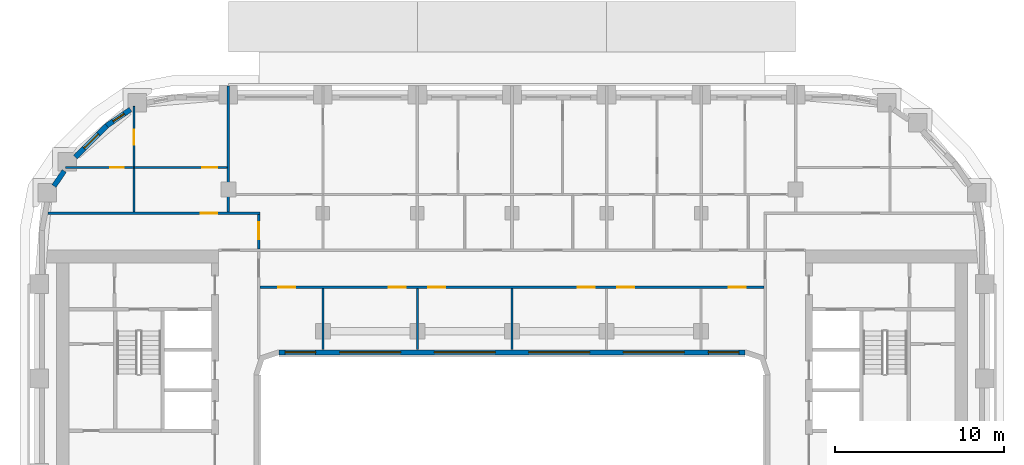
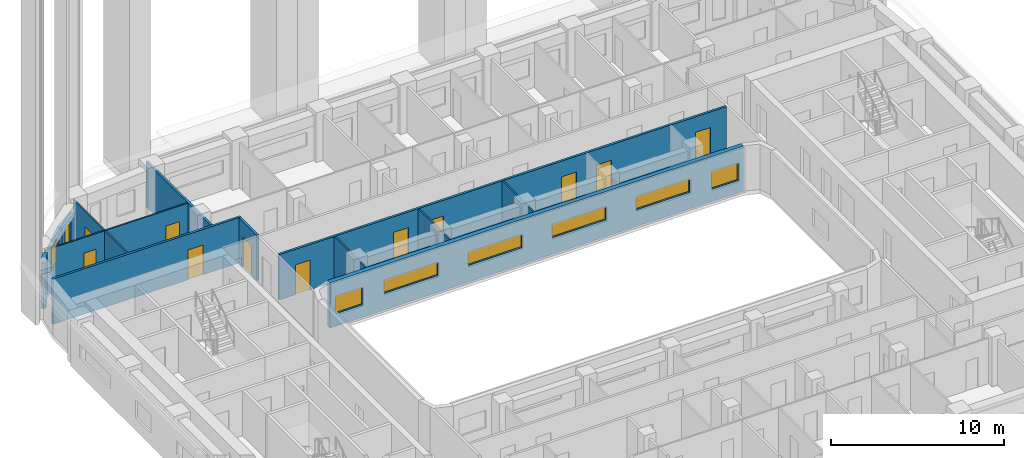
# One storey, part 7 of 18: 14 walls, 11 doors, 8 windows, 19 openings.
"""IFC4 building model written with IfcOpenShell, lengths in metres."""

from ifc_helpers import new_model, si_unit, direction, frame, frame_2d, origin, place, context, subcontext, project, spatial, rectangle, extrude, material, layer, layer_set, type_object, element, fill, save


model = new_model("IFC4")

# Units and contexts
model_context = context("Model", 3, precision=1e-05, world=origin(), true_north=direction((0.0, 1.0)))
body_context = subcontext(model_context, "Body", "Model", "MODEL_VIEW")
ifc_project = project(units=[si_unit("LENGTHUNIT", "METRE"), si_unit("AREAUNIT", "SQUARE_METRE"), si_unit("VOLUMEUNIT", "CUBIC_METRE"), si_unit("PLANEANGLEUNIT", "RADIAN"), si_unit("MASSUNIT", "GRAM", prefix="KILO")], contexts=[model_context])

# Site, building, storey
site_placement = place(None, origin())
site = spatial("IfcSite", under=ifc_project, at=site_placement, CompositionType="ELEMENT")
building_placement = place(site_placement, origin())
building = spatial("IfcBuilding", under=site, at=building_placement, Name="Kiln Ring Residences", CompositionType="ELEMENT")
storey_placement = place(building_placement, frame((0.0, 0.0, 136.10009765625)))
storey = spatial("IfcBuildingStorey", under=building, at=storey_placement, Name="L34", CompositionType="ELEMENT", Elevation=136.10009765625)

# Wall, opening, window
ifc_material_1 = material(Name="Brick masonry, dark clay brick", Category="masonry")
ifc_layer_1 = layer(ifc_material_1, 0.300048828125)
ifc_layer_set_1 = layer_set([ifc_layer_1], Name="EW-300 BRICK WALL")
wall_type_1 = type_object("IfcWallType", Name="EW-300 BRICK WALL", PredefinedType="SOLIDWALL", material=ifc_layer_set_1)
wall_1_placement = place(storey_placement, frame((-22.601806640625, 21.537841796875, 0.0), z_axis=(0.0, 0.0, 1.0), x_axis=(-0.827040942766, -0.562141689424, 0.0)))
wall_1 = element("IfcWall", 1, at=wall_1_placement, inside=storey, type_object=wall_type_1, Name="Facade wall L34 37", PredefinedType="SOLIDWALL", context=body_context, shape_type="SweptSolid", body=[
    extrude(rectangle(XDim=1.7060546875, YDim=0.300048828125, at=frame_2d((0.85302734375, 0.0))), origin(), (0.0, 0.0, 1.0), 2.449951171875),
])
opening_1_placement = place(wall_1_placement, frame((0.453125, 0.0, 0.60009765625)))
opening_1 = element("IfcOpeningElement", 2, at=opening_1_placement, cuts=wall_1, Name="Opening W5", PredefinedType="OPENING", context=body_context, shape_type="SweptSolid", body=[
    extrude(rectangle(XDim=0.800048828125, YDim=1.550048828125, at=frame_2d((0.39990234375, 0.77490234375))), frame((0.0, 0.159912109375, 0.0), z_axis=(0.0, -1.0, 0.0), x_axis=(1.0, 0.0, 0.0)), (0.0, 0.0, 1.0), 0.320068359375),
])
ifc_material_2 = material(Name="Aluminium frame with double glazing", Category="aluminium")
window_type_1 = type_object("IfcWindowType", Name="WINDOW 800 x 1550", PartitioningType="SINGLE_PANEL", PredefinedType="WINDOW", material=ifc_material_2)
window_1_placement = place(opening_1_placement, origin())
window_1 = element("IfcWindow", 3, at=window_1_placement, inside=storey, type_object=window_type_1, Name="Window L34 31", OverallHeight=1.550048828125, OverallWidth=0.800048828125, PartitioningType="SINGLE_PANEL", PredefinedType="WINDOW", context=body_context, shape_type="SweptSolid", body=[
    extrude(rectangle(XDim=0.800048828125, YDim=1.550048828125, at=frame_2d((0.39990234375, 0.77490234375))), frame((0.0, 0.030029296875, 0.0), z_axis=(0.0, -1.0, 0.0), x_axis=(1.0, 0.0, 0.0)), (0.0, 0.0, 1.0), 0.06005859375),
])
fill(opening_1, window_1)

wall_2_placement = place(storey_placement, frame((-23.990966796875, 20.596923828125, 0.0), z_axis=(0.0, 0.0, 1.0), x_axis=(-0.707106781187, -0.707106781187, 0.0)))
wall_2 = element("IfcWall", 4, at=wall_2_placement, inside=storey, type_object=wall_type_1, Name="Facade wall L34 38", PredefinedType="SOLIDWALL", context=body_context, shape_type="SweptSolid", body=[
    extrude(rectangle(XDim=2.64990234375, YDim=0.300048828125, at=frame_2d((1.324951171875, 0.0))), origin(), (0.0, 0.0, 1.0), 2.449951171875),
])
opening_2_placement = place(wall_2_placement, frame((0.72509765625, 0.0, 0.60009765625)))
opening_2 = element("IfcOpeningElement", 5, at=opening_2_placement, cuts=wall_2, Name="Opening W1", PredefinedType="OPENING", context=body_context, shape_type="SweptSolid", body=[
    extrude(rectangle(XDim=1.199951171875, YDim=1.550048828125, at=frame_2d((0.60009765625, 0.77490234375))), frame((0.0, 0.159912109375, 0.0), z_axis=(0.0, -1.0, 0.0), x_axis=(1.0, 0.0, 0.0)), (0.0, 0.0, 1.0), 0.320068359375),
])
ifc_material_3 = material(Name="Aluminium frame with double glazing", Category="aluminium")
window_type_2 = type_object("IfcWindowType", Name="WINDOW 1200 x 1550", PartitioningType="SINGLE_PANEL", PredefinedType="WINDOW", material=ifc_material_3)
window_2_placement = place(opening_2_placement, origin())
window_2 = element("IfcWindow", 6, at=window_2_placement, inside=storey, type_object=window_type_2, Name="Window L34 32", OverallHeight=1.550048828125, OverallWidth=1.199951171875, PartitioningType="SINGLE_PANEL", PredefinedType="WINDOW", context=body_context, shape_type="SweptSolid", body=[
    extrude(rectangle(XDim=1.199951171875, YDim=1.550048828125, at=frame_2d((0.60009765625, 0.77490234375))), frame((0.0, 0.030029296875, 0.0), z_axis=(0.0, -1.0, 0.0), x_axis=(1.0, 0.0, 0.0)), (0.0, 0.0, 1.0), 0.06005859375),
])
fill(opening_2, window_2)

# Wall
wall_3_placement = place(storey_placement, frame((-26.532470703125, 17.892578125, 0.0), z_axis=(0.0, 0.0, 1.0), x_axis=(-0.562105419172, -0.82706559458, 0.0)))
element("IfcWall", 7, at=wall_3_placement, inside=storey, type_object=wall_type_1, Name="Facade wall L34 39", PredefinedType="SOLIDWALL", context=body_context, shape_type="SweptSolid", body=[
    extrude(rectangle(XDim=1.0771484375, YDim=0.300048828125, at=frame_2d((0.53857421875, 0.0))), origin(), (0.0, 0.0, 1.0), 3.199951171875),
])

# Wall, openings, windows
wall_4_placement = place(storey_placement, frame((-13.800048828125, 7.14990234375, 0.0), z_axis=(0.0, 0.0, 1.0), x_axis=(1.0, 0.0, 0.0)))
wall_4 = element("IfcWall", 8, at=wall_4_placement, inside=storey, type_object=wall_type_1, Name="Facade wall L34 50", PredefinedType="SOLIDWALL", context=body_context, shape_type="SweptSolid", body=[
    extrude(rectangle(XDim=27.60009765625, YDim=0.300048828125, at=frame_2d((13.800048828125, 0.0))), origin(), (0.0, 0.0, 1.0), 3.199951171875),
])
opening_3_placement = place(wall_4_placement, frame((0.362548828125, 0.0, 0.89990234375)))
opening_3 = element("IfcOpeningElement", 9, at=opening_3_placement, cuts=wall_4, Name="Opening W2", PredefinedType="OPENING", context=body_context, shape_type="SweptSolid", body=[
    extrude(rectangle(XDim=1.800048828125, YDim=1.25, at=frame_2d((0.89990234375, 0.625))), frame((0.0, 0.159912109375, 0.0), z_axis=(0.0, -1.0, 0.0), x_axis=(1.0, 0.0, 0.0)), (0.0, 0.0, 1.0), 0.320068359375),
])
opening_4_placement = place(wall_4_placement, frame((3.60009765625, 0.0, 1.199951171875)))
opening_4 = element("IfcOpeningElement", 10, at=opening_4_placement, cuts=wall_4, Name="Opening W4", PredefinedType="OPENING", context=body_context, shape_type="SweptSolid", body=[
    extrude(rectangle(XDim=3.60009765625, YDim=0.949951171875, at=frame_2d((1.800048828125, 0.47509765625))), frame((0.0, 0.159912109375, 0.0), z_axis=(0.0, -1.0, 0.0), x_axis=(1.0, 0.0, 0.0)), (0.0, 0.0, 1.0), 0.320068359375),
])
opening_5_placement = place(wall_4_placement, frame((9.199951171875, 0.0, 1.199951171875)))
opening_5 = element("IfcOpeningElement", 11, at=opening_5_placement, cuts=wall_4, Name="Opening W4", PredefinedType="OPENING", context=body_context, shape_type="SweptSolid", body=[
    extrude(rectangle(XDim=3.60009765625, YDim=0.949951171875, at=frame_2d((1.800048828125, 0.47509765625))), frame((0.0, 0.159912109375, 0.0), z_axis=(0.0, -1.0, 0.0), x_axis=(1.0, 0.0, 0.0)), (0.0, 0.0, 1.0), 0.320068359375),
])
opening_6_placement = place(wall_4_placement, frame((14.800048828125, 0.0, 1.199951171875)))
opening_6 = element("IfcOpeningElement", 12, at=opening_6_placement, cuts=wall_4, Name="Opening W4", PredefinedType="OPENING", context=body_context, shape_type="SweptSolid", body=[
    extrude(rectangle(XDim=3.60009765625, YDim=0.949951171875, at=frame_2d((1.800048828125, 0.47509765625))), frame((0.0, 0.159912109375, 0.0), z_axis=(0.0, -1.0, 0.0), x_axis=(1.0, 0.0, 0.0)), (0.0, 0.0, 1.0), 0.320068359375),
])
opening_7_placement = place(wall_4_placement, frame((20.39990234375, 0.0, 1.199951171875)))
opening_7 = element("IfcOpeningElement", 13, at=opening_7_placement, cuts=wall_4, Name="Opening W4", PredefinedType="OPENING", context=body_context, shape_type="SweptSolid", body=[
    extrude(rectangle(XDim=3.60009765625, YDim=0.949951171875, at=frame_2d((1.800048828125, 0.47509765625))), frame((0.0, 0.159912109375, 0.0), z_axis=(0.0, -1.0, 0.0), x_axis=(1.0, 0.0, 0.0)), (0.0, 0.0, 1.0), 0.320068359375),
])
opening_8_placement = place(wall_4_placement, frame((25.4375, 0.0, 0.89990234375)))
opening_8 = element("IfcOpeningElement", 14, at=opening_8_placement, cuts=wall_4, Name="Opening W2", PredefinedType="OPENING", context=body_context, shape_type="SweptSolid", body=[
    extrude(rectangle(XDim=1.800048828125, YDim=1.25, at=frame_2d((0.89990234375, 0.625))), frame((0.0, 0.159912109375, 0.0), z_axis=(0.0, -1.0, 0.0), x_axis=(1.0, 0.0, 0.0)), (0.0, 0.0, 1.0), 0.320068359375),
])
ifc_material_4 = material(Name="Aluminium frame with double glazing", Category="aluminium")
window_type_3 = type_object("IfcWindowType", Name="WINDOW 1800 x 1250", PartitioningType="SINGLE_PANEL", PredefinedType="WINDOW", material=ifc_material_4)
window_3_placement = place(opening_3_placement, origin())
window_3 = element("IfcWindow", 15, at=window_3_placement, inside=storey, type_object=window_type_3, Name="Window L34 33", OverallHeight=1.25, OverallWidth=1.800048828125, PartitioningType="SINGLE_PANEL", PredefinedType="WINDOW", context=body_context, shape_type="SweptSolid", body=[
    extrude(rectangle(XDim=1.800048828125, YDim=1.25, at=frame_2d((0.89990234375, 0.625))), frame((0.0, 0.030029296875, 0.0), z_axis=(0.0, -1.0, 0.0), x_axis=(1.0, 0.0, 0.0)), (0.0, 0.0, 1.0), 0.06005859375),
])
fill(opening_3, window_3)
window_4_placement = place(opening_8_placement, origin())
window_4 = element("IfcWindow", 16, at=window_4_placement, inside=storey, type_object=window_type_3, Name="Window L34 38", OverallHeight=1.25, OverallWidth=1.800048828125, PartitioningType="SINGLE_PANEL", PredefinedType="WINDOW", context=body_context, shape_type="SweptSolid", body=[
    extrude(rectangle(XDim=1.800048828125, YDim=1.25, at=frame_2d((0.89990234375, 0.625))), frame((0.0, 0.030029296875, 0.0), z_axis=(0.0, -1.0, 0.0), x_axis=(1.0, 0.0, 0.0)), (0.0, 0.0, 1.0), 0.06005859375),
])
fill(opening_8, window_4)
ifc_material_5 = material(Name="Aluminium frame with double glazing", Category="aluminium")
window_type_4 = type_object("IfcWindowType", Name="WINDOW 3600 x 950", PartitioningType="SINGLE_PANEL", PredefinedType="WINDOW", material=ifc_material_5)
window_5_placement = place(opening_4_placement, origin())
window_5 = element("IfcWindow", 17, at=window_5_placement, inside=storey, type_object=window_type_4, Name="Window L34 34", OverallHeight=0.949951171875, OverallWidth=3.60009765625, PartitioningType="SINGLE_PANEL", PredefinedType="WINDOW", context=body_context, shape_type="SweptSolid", body=[
    extrude(rectangle(XDim=3.60009765625, YDim=0.949951171875, at=frame_2d((1.800048828125, 0.47509765625))), frame((0.0, 0.030029296875, 0.0), z_axis=(0.0, -1.0, 0.0), x_axis=(1.0, 0.0, 0.0)), (0.0, 0.0, 1.0), 0.06005859375),
])
fill(opening_4, window_5)
window_6_placement = place(opening_5_placement, origin())
window_6 = element("IfcWindow", 18, at=window_6_placement, inside=storey, type_object=window_type_4, Name="Window L34 35", OverallHeight=0.949951171875, OverallWidth=3.60009765625, PartitioningType="SINGLE_PANEL", PredefinedType="WINDOW", context=body_context, shape_type="SweptSolid", body=[
    extrude(rectangle(XDim=3.60009765625, YDim=0.949951171875, at=frame_2d((1.800048828125, 0.47509765625))), frame((0.0, 0.030029296875, 0.0), z_axis=(0.0, -1.0, 0.0), x_axis=(1.0, 0.0, 0.0)), (0.0, 0.0, 1.0), 0.06005859375),
])
fill(opening_5, window_6)
window_7_placement = place(opening_6_placement, origin())
window_7 = element("IfcWindow", 19, at=window_7_placement, inside=storey, type_object=window_type_4, Name="Window L34 36", OverallHeight=0.949951171875, OverallWidth=3.60009765625, PartitioningType="SINGLE_PANEL", PredefinedType="WINDOW", context=body_context, shape_type="SweptSolid", body=[
    extrude(rectangle(XDim=3.60009765625, YDim=0.949951171875, at=frame_2d((1.800048828125, 0.47509765625))), frame((0.0, 0.030029296875, 0.0), z_axis=(0.0, -1.0, 0.0), x_axis=(1.0, 0.0, 0.0)), (0.0, 0.0, 1.0), 0.06005859375),
])
fill(opening_6, window_7)
window_8_placement = place(opening_7_placement, origin())
window_8 = element("IfcWindow", 20, at=window_8_placement, inside=storey, type_object=window_type_4, Name="Window L34 37", OverallHeight=0.949951171875, OverallWidth=3.60009765625, PartitioningType="SINGLE_PANEL", PredefinedType="WINDOW", context=body_context, shape_type="SweptSolid", body=[
    extrude(rectangle(XDim=3.60009765625, YDim=0.949951171875, at=frame_2d((1.800048828125, 0.47509765625))), frame((0.0, 0.030029296875, 0.0), z_axis=(0.0, -1.0, 0.0), x_axis=(1.0, 0.0, 0.0)), (0.0, 0.0, 1.0), 0.06005859375),
])
fill(opening_7, window_8)

# Wall, openings, doors
ifc_material_6 = material(Name="Gypsum board on steel studs", Category="steel")
ifc_layer_2 = layer(ifc_material_6, 0.10009765625)
ifc_layer_set_2 = layer_set([ifc_layer_2], Name="PARTITION-100")
wall_type_2 = type_object("IfcWallType", Name="PARTITION-100", PredefinedType="PARTITIONING", material=ifc_layer_set_2)
wall_5_placement = place(storey_placement, frame((-26.43994140625, 18.10009765625, 0.0), z_axis=(0.0, 0.0, 1.0), x_axis=(1.0, 0.0, 0.0)))
wall_5 = element("IfcWall", 21, at=wall_5_placement, inside=storey, type_object=wall_type_2, Name="Partition 012", PredefinedType="PARTITIONING", context=body_context, shape_type="SweptSolid", body=[
    extrude(rectangle(XDim=9.56494140625, YDim=0.10009765625, at=frame_2d((4.782470703125, 0.0))), origin(), (0.0, 0.0, 1.0), 3.199951171875),
])
opening_9_placement = place(wall_5_placement, frame((2.6259765625, 0.0, 0.0)))
opening_9 = element("IfcOpeningElement", 22, at=opening_9_placement, cuts=wall_5, Name="Opening L34-D040", PredefinedType="OPENING", context=body_context, shape_type="SweptSolid", body=[
    extrude(rectangle(XDim=0.800048828125, YDim=2.10009765625, at=frame_2d((0.39990234375, 1.050048828125))), frame((0.0, 0.06005859375, 0.0), z_axis=(0.0, -1.0, 0.0), x_axis=(1.0, 0.0, 0.0)), (0.0, 0.0, 1.0), 0.1201171875),
])
opening_10_placement = place(wall_5_placement, frame((8.090087890625, 0.0, 0.0)))
opening_10 = element("IfcOpeningElement", 23, at=opening_10_placement, cuts=wall_5, Name="Opening L34-D041", PredefinedType="OPENING", context=body_context, shape_type="SweptSolid", body=[
    extrude(rectangle(XDim=0.89990234375, YDim=2.10009765625, at=frame_2d((0.449951171875, 1.050048828125))), frame((0.0, 0.06005859375, 0.0), z_axis=(0.0, -1.0, 0.0), x_axis=(1.0, 0.0, 0.0)), (0.0, 0.0, 1.0), 0.1201171875),
])
ifc_material_7 = material(Name="Timber door leaf", Category="wood")
door_type_1 = type_object("IfcDoorType", Name="FLAT-DOOR-800-PL", OperationType="SINGLE_SWING_LEFT", PredefinedType="DOOR", material=ifc_material_7)
door_1_placement = place(opening_9_placement, origin())
door_1 = element("IfcDoor", 24, at=door_1_placement, inside=storey, type_object=door_type_1, Name="Door L34-D040", OperationType="SINGLE_SWING_RIGHT", OverallHeight=2.10009765625, OverallWidth=0.800048828125, PredefinedType="DOOR", context=body_context, shape_type="SweptSolid", body=[
    extrude(rectangle(XDim=0.800048828125, YDim=2.10009765625, at=frame_2d((0.39990234375, 1.050048828125))), frame((0.0, 0.02490234375, 0.0), z_axis=(0.0, -1.0, 0.0), x_axis=(1.0, 0.0, 0.0)), (0.0, 0.0, 1.0), 0.050048828125),
])
fill(opening_9, door_1)
ifc_material_8 = material(Name="Timber door leaf", Category="wood")
door_type_2 = type_object("IfcDoorType", Name="FLAT-DOOR-900-PL", OperationType="SINGLE_SWING_LEFT", PredefinedType="DOOR", material=ifc_material_8)
door_2_placement = place(opening_10_placement, origin())
door_2 = element("IfcDoor", 25, at=door_2_placement, inside=storey, type_object=door_type_2, Name="Door L34-D041", OperationType="SINGLE_SWING_LEFT", OverallHeight=2.10009765625, OverallWidth=0.89990234375, PredefinedType="DOOR", context=body_context, shape_type="SweptSolid", body=[
    extrude(rectangle(XDim=0.89990234375, YDim=2.10009765625, at=frame_2d((0.449951171875, 1.050048828125))), frame((0.0, 0.02490234375, 0.0), z_axis=(0.0, -1.0, 0.0), x_axis=(1.0, 0.0, 0.0)), (0.0, 0.0, 1.0), 0.050048828125),
])
fill(opening_10, door_2)

# Wall
wall_6_placement = place(storey_placement, frame((-22.39990234375, 15.47509765625, 0.0), z_axis=(0.0, 0.0, 1.0), x_axis=(0.0, 1.0, 0.0)))
element("IfcWall", 26, at=wall_6_placement, inside=storey, type_object=wall_type_2, Name="Partition 016", PredefinedType="PARTITIONING", context=body_context, shape_type="SweptSolid", body=[
    extrude(rectangle(XDim=2.574951171875, YDim=0.10009765625, at=frame_2d((1.28759765625, 0.0))), origin(), (0.0, 0.0, 1.0), 3.199951171875),
])

# Wall, opening, door
wall_7_placement = place(storey_placement, frame((-22.39990234375, 18.14990234375, 0.0), z_axis=(0.0, 0.0, 1.0), x_axis=(0.0, 1.0, 0.0)))
wall_7 = element("IfcWall", 27, at=wall_7_placement, inside=storey, type_object=wall_type_2, Name="Partition 017", PredefinedType="PARTITIONING", context=body_context, shape_type="SweptSolid", body=[
    extrude(rectangle(XDim=3.570068359375, YDim=0.10009765625, at=frame_2d((1.78515625, 0.0))), origin(), (0.0, 0.0, 1.0), 3.199951171875),
])
opening_11_placement = place(wall_7_placement, frame((1.298095703125, 0.0, 0.0)))
opening_11 = element("IfcOpeningElement", 28, at=opening_11_placement, cuts=wall_7, Name="Opening L34-D042", PredefinedType="OPENING", context=body_context, shape_type="SweptSolid", body=[
    extrude(rectangle(XDim=0.89990234375, YDim=2.10009765625, at=frame_2d((0.449951171875, 1.050048828125))), frame((0.0, 0.06005859375, 0.0), z_axis=(0.0, -1.0, 0.0), x_axis=(1.0, 0.0, 0.0)), (0.0, 0.0, 1.0), 0.1201171875),
])
door_3_placement = place(opening_11_placement, origin())
door_3 = element("IfcDoor", 29, at=door_3_placement, inside=storey, type_object=door_type_2, Name="Door L34-D042", OperationType="SINGLE_SWING_RIGHT", OverallHeight=2.10009765625, OverallWidth=0.89990234375, PredefinedType="DOOR", context=body_context, shape_type="SweptSolid", body=[
    extrude(rectangle(XDim=0.89990234375, YDim=2.10009765625, at=frame_2d((0.449951171875, 1.050048828125))), frame((0.0, 0.02490234375, 0.0), z_axis=(0.0, -1.0, 0.0), x_axis=(1.0, 0.0, 0.0)), (0.0, 0.0, 1.0), 0.050048828125),
])
fill(opening_11, door_3)

# Walls
for number, where, z_axis, x_axis, name in (
    (30, (-11.199951171875, 7.320068359375, 0.0), (0.0, 0.0, 1.0), (0.0, 1.0, 0.0), "Partition 027"),
    (31, (-5.60009765625, 7.320068359375, 0.0), (0.0, 0.0, 1.0), (0.0, 1.0, 0.0), "Partition 031"),
    (32, (0.0, 7.320068359375, 0.0), (0.0, 0.0, 1.0), (0.0, 1.0, 0.0), "Partition 040"),
):
    element("IfcWall", number, at=place(storey_placement, frame(where, z_axis=z_axis, x_axis=x_axis)), inside=storey, type_object=wall_type_2, Name=name, PredefinedType="PARTITIONING", context=body_context, shape_type="SweptSolid", body=[
        extrude(rectangle(XDim=3.60498046875, YDim=0.10009765625, at=frame_2d((1.802490234375, 0.0))), origin(), (0.0, 0.0, 1.0), 3.199951171875),
    ])

# Wall, openings, doors
ifc_material_9 = material(Name="Brick masonry partition", Category="masonry")
ifc_layer_3 = layer(ifc_material_9, 0.14990234375)
ifc_layer_set_3 = layer_set([ifc_layer_3], Name="PARTITION-150-ei60")
wall_type_3 = type_object("IfcWallType", Name="PARTITION-150-ei60", PredefinedType="PARTITIONING", material=ifc_layer_set_3)
wall_8_placement = place(storey_placement, frame((-14.925048828125, 11.0, 0.0), z_axis=(0.0, 0.0, 1.0), x_axis=(1.0, 0.0, 0.0)))
wall_8 = element("IfcWall", 33, at=wall_8_placement, inside=storey, type_object=wall_type_3, Name="Partition 007", PredefinedType="PARTITIONING", context=body_context, shape_type="SweptSolid", body=[
    extrude(rectangle(XDim=29.85009765625, YDim=0.14990234375, at=frame_2d((14.925048828125, 0.0))), origin(), (0.0, 0.0, 1.0), 3.199951171875),
])
opening_12_placement = place(wall_8_placement, frame((1.075927734375, 0.0, 0.0)))
opening_12 = element("IfcOpeningElement", 34, at=opening_12_placement, cuts=wall_8, Name="Opening L34-D009", PredefinedType="OPENING", context=body_context, shape_type="SweptSolid", body=[
    extrude(rectangle(XDim=1.0, YDim=2.10009765625, at=frame_2d((0.5, 1.050048828125))), frame((0.0, 0.0849609375, 0.0), z_axis=(0.0, -1.0, 0.0), x_axis=(1.0, 0.0, 0.0)), (0.0, 0.0, 1.0), 0.169921875),
])
opening_13_placement = place(wall_8_placement, frame((7.625, 0.0, 0.0)))
opening_13 = element("IfcOpeningElement", 35, at=opening_13_placement, cuts=wall_8, Name="Opening L34-D010", PredefinedType="OPENING", context=body_context, shape_type="SweptSolid", body=[
    extrude(rectangle(XDim=1.0, YDim=2.10009765625, at=frame_2d((0.5, 1.050048828125))), frame((0.0, 0.0849609375, 0.0), z_axis=(0.0, -1.0, 0.0), x_axis=(1.0, 0.0, 0.0)), (0.0, 0.0, 1.0), 0.169921875),
])
opening_14_placement = place(wall_8_placement, frame((9.97509765625, 0.0, 0.0)))
opening_14 = element("IfcOpeningElement", 36, at=opening_14_placement, cuts=wall_8, Name="Opening L34-D011", PredefinedType="OPENING", context=body_context, shape_type="SweptSolid", body=[
    extrude(rectangle(XDim=1.0, YDim=2.10009765625, at=frame_2d((0.5, 1.050048828125))), frame((0.0, 0.0849609375, 0.0), z_axis=(0.0, -1.0, 0.0), x_axis=(1.0, 0.0, 0.0)), (0.0, 0.0, 1.0), 0.169921875),
])
opening_15_placement = place(wall_8_placement, frame((18.824951171875, 0.0, 0.0)))
opening_15 = element("IfcOpeningElement", 37, at=opening_15_placement, cuts=wall_8, Name="Opening L34-D012", PredefinedType="OPENING", context=body_context, shape_type="SweptSolid", body=[
    extrude(rectangle(XDim=1.0, YDim=2.10009765625, at=frame_2d((0.5, 1.050048828125))), frame((0.0, 0.0849609375, 0.0), z_axis=(0.0, -1.0, 0.0), x_axis=(1.0, 0.0, 0.0)), (0.0, 0.0, 1.0), 0.169921875),
])
opening_16_placement = place(wall_8_placement, frame((21.175048828125, 0.0, 0.0)))
opening_16 = element("IfcOpeningElement", 38, at=opening_16_placement, cuts=wall_8, Name="Opening L34-D013", PredefinedType="OPENING", context=body_context, shape_type="SweptSolid", body=[
    extrude(rectangle(XDim=1.0, YDim=2.10009765625, at=frame_2d((0.5, 1.050048828125))), frame((0.0, 0.0849609375, 0.0), z_axis=(0.0, -1.0, 0.0), x_axis=(1.0, 0.0, 0.0)), (0.0, 0.0, 1.0), 0.169921875),
])
opening_17_placement = place(wall_8_placement, frame((27.77490234375, 0.0, 0.0)))
opening_17 = element("IfcOpeningElement", 39, at=opening_17_placement, cuts=wall_8, Name="Opening L34-D014", PredefinedType="OPENING", context=body_context, shape_type="SweptSolid", body=[
    extrude(rectangle(XDim=1.0, YDim=2.10009765625, at=frame_2d((0.5, 1.050048828125))), frame((0.0, 0.0849609375, 0.0), z_axis=(0.0, -1.0, 0.0), x_axis=(1.0, 0.0, 0.0)), (0.0, 0.0, 1.0), 0.169921875),
])
ifc_material_10 = material(Name="Steel faced fire door leaf", Category="steel")
door_type_3 = type_object("IfcDoorType", Name="FLAT-DOOR-1000-FR", OperationType="SINGLE_SWING_LEFT", PredefinedType="DOOR", material=ifc_material_10)
door_4_placement = place(opening_12_placement, origin())
door_4 = element("IfcDoor", 40, at=door_4_placement, inside=storey, type_object=door_type_3, Name="Door L34-D009", OperationType="SINGLE_SWING_LEFT", OverallHeight=2.10009765625, OverallWidth=1.0, PredefinedType="DOOR", context=body_context, shape_type="SweptSolid", body=[
    extrude(rectangle(XDim=1.0, YDim=2.10009765625, at=frame_2d((0.5, 1.050048828125))), frame((0.0, 0.02490234375, 0.0), z_axis=(0.0, -1.0, 0.0), x_axis=(1.0, 0.0, 0.0)), (0.0, 0.0, 1.0), 0.050048828125),
])
fill(opening_12, door_4)
door_5_placement = place(opening_13_placement, origin())
door_5 = element("IfcDoor", 41, at=door_5_placement, inside=storey, type_object=door_type_3, Name="Door L34-D010", OperationType="SINGLE_SWING_RIGHT", OverallHeight=2.10009765625, OverallWidth=1.0, PredefinedType="DOOR", context=body_context, shape_type="SweptSolid", body=[
    extrude(rectangle(XDim=1.0, YDim=2.10009765625, at=frame_2d((0.5, 1.050048828125))), frame((0.0, 0.02490234375, 0.0), z_axis=(0.0, -1.0, 0.0), x_axis=(1.0, 0.0, 0.0)), (0.0, 0.0, 1.0), 0.050048828125),
])
fill(opening_13, door_5)
door_6_placement = place(opening_14_placement, origin())
door_6 = element("IfcDoor", 42, at=door_6_placement, inside=storey, type_object=door_type_3, Name="Door L34-D011", OperationType="SINGLE_SWING_LEFT", OverallHeight=2.10009765625, OverallWidth=1.0, PredefinedType="DOOR", context=body_context, shape_type="SweptSolid", body=[
    extrude(rectangle(XDim=1.0, YDim=2.10009765625, at=frame_2d((0.5, 1.050048828125))), frame((0.0, 0.02490234375, 0.0), z_axis=(0.0, -1.0, 0.0), x_axis=(1.0, 0.0, 0.0)), (0.0, 0.0, 1.0), 0.050048828125),
])
fill(opening_14, door_6)
door_7_placement = place(opening_15_placement, origin())
door_7 = element("IfcDoor", 43, at=door_7_placement, inside=storey, type_object=door_type_3, Name="Door L34-D012", OperationType="SINGLE_SWING_RIGHT", OverallHeight=2.10009765625, OverallWidth=1.0, PredefinedType="DOOR", context=body_context, shape_type="SweptSolid", body=[
    extrude(rectangle(XDim=1.0, YDim=2.10009765625, at=frame_2d((0.5, 1.050048828125))), frame((0.0, 0.02490234375, 0.0), z_axis=(0.0, -1.0, 0.0), x_axis=(1.0, 0.0, 0.0)), (0.0, 0.0, 1.0), 0.050048828125),
])
fill(opening_15, door_7)
door_8_placement = place(opening_16_placement, origin())
door_8 = element("IfcDoor", 44, at=door_8_placement, inside=storey, type_object=door_type_3, Name="Door L34-D013", OperationType="SINGLE_SWING_LEFT", OverallHeight=2.10009765625, OverallWidth=1.0, PredefinedType="DOOR", context=body_context, shape_type="SweptSolid", body=[
    extrude(rectangle(XDim=1.0, YDim=2.10009765625, at=frame_2d((0.5, 1.050048828125))), frame((0.0, 0.02490234375, 0.0), z_axis=(0.0, -1.0, 0.0), x_axis=(1.0, 0.0, 0.0)), (0.0, 0.0, 1.0), 0.050048828125),
])
fill(opening_16, door_8)
door_9_placement = place(opening_17_placement, origin())
door_9 = element("IfcDoor", 45, at=door_9_placement, inside=storey, type_object=door_type_3, Name="Door L34-D014", OperationType="SINGLE_SWING_RIGHT", OverallHeight=2.10009765625, OverallWidth=1.0, PredefinedType="DOOR", context=body_context, shape_type="SweptSolid", body=[
    extrude(rectangle(XDim=1.0, YDim=2.10009765625, at=frame_2d((0.5, 1.050048828125))), frame((0.0, 0.02490234375, 0.0), z_axis=(0.0, -1.0, 0.0), x_axis=(1.0, 0.0, 0.0)), (0.0, 0.0, 1.0), 0.050048828125),
])
fill(opening_17, door_9)

# Wall, opening, door
wall_9_placement = place(storey_placement, frame((-27.48388671875, 15.39990234375, 0.0), z_axis=(0.0, 0.0, 1.0), x_axis=(1.0, 0.0, 0.0)))
wall_9 = element("IfcWall", 46, at=wall_9_placement, inside=storey, type_object=wall_type_3, Name="Partition 009", PredefinedType="PARTITIONING", context=body_context, shape_type="SweptSolid", body=[
    extrude(rectangle(XDim=12.558837890625, YDim=0.14990234375, at=frame_2d((6.279296875, 0.0))), origin(), (0.0, 0.0, 1.0), 3.199951171875),
])
opening_18_placement = place(wall_9_placement, frame((9.03369140625, 0.0, 0.0)))
opening_18 = element("IfcOpeningElement", 47, at=opening_18_placement, cuts=wall_9, Name="Opening L34-D039", PredefinedType="OPENING", context=body_context, shape_type="SweptSolid", body=[
    extrude(rectangle(XDim=1.0, YDim=2.10009765625, at=frame_2d((0.5, 1.050048828125))), frame((0.0, 0.0849609375, 0.0), z_axis=(0.0, -1.0, 0.0), x_axis=(1.0, 0.0, 0.0)), (0.0, 0.0, 1.0), 0.169921875),
])
door_10_placement = place(opening_18_placement, origin())
door_10 = element("IfcDoor", 48, at=door_10_placement, inside=storey, type_object=door_type_3, Name="Door L34-D039", OperationType="SINGLE_SWING_LEFT", OverallHeight=2.10009765625, OverallWidth=1.0, PredefinedType="DOOR", context=body_context, shape_type="SweptSolid", body=[
    extrude(rectangle(XDim=1.0, YDim=2.10009765625, at=frame_2d((0.5, 1.050048828125))), frame((0.0, 0.02490234375, 0.0), z_axis=(0.0, -1.0, 0.0), x_axis=(1.0, 0.0, 0.0)), (0.0, 0.0, 1.0), 0.050048828125),
])
fill(opening_18, door_10)

# Wall
wall_10_placement = place(storey_placement, frame((-16.800048828125, 15.47509765625, 0.0), z_axis=(0.0, 0.0, 1.0), x_axis=(0.0, 1.0, 0.0)))
element("IfcWall", 49, at=wall_10_placement, inside=storey, type_object=wall_type_3, Name="Partition 019", PredefinedType="PARTITIONING", context=body_context, shape_type="SweptSolid", body=[
    extrude(rectangle(XDim=7.454833984375, YDim=0.14990234375, at=frame_2d((3.7275390625, 0.0))), origin(), (0.0, 0.0, 1.0), 3.199951171875),
])

# Wall, opening, door
wall_11_placement = place(storey_placement, frame((-15.0, 13.27490234375, 0.0), z_axis=(0.0, 0.0, 1.0), x_axis=(0.0, 1.0, 0.0)))
wall_11 = element("IfcWall", 50, at=wall_11_placement, inside=storey, type_object=wall_type_3, Name="Partition 023", PredefinedType="PARTITIONING", context=body_context, shape_type="SweptSolid", body=[
    extrude(rectangle(XDim=2.050048828125, YDim=0.14990234375, at=frame_2d((1.02490234375, 0.0))), origin(), (0.0, 0.0, 1.0), 3.199951171875),
])
opening_19_placement = place(wall_11_placement, frame((0.575927734375, 0.0, 0.0)))
opening_19 = element("IfcOpeningElement", 51, at=opening_19_placement, cuts=wall_11, Name="Opening L34-D015", PredefinedType="OPENING", context=body_context, shape_type="SweptSolid", body=[
    extrude(rectangle(XDim=1.0, YDim=2.10009765625, at=frame_2d((0.5, 1.050048828125))), frame((0.0, 0.0849609375, 0.0), z_axis=(0.0, -1.0, 0.0), x_axis=(1.0, 0.0, 0.0)), (0.0, 0.0, 1.0), 0.169921875),
])
door_11_placement = place(opening_19_placement, origin())
door_11 = element("IfcDoor", 52, at=door_11_placement, inside=storey, type_object=door_type_3, Name="Door L34-D015", OperationType="SINGLE_SWING_LEFT", OverallHeight=2.10009765625, OverallWidth=1.0, PredefinedType="DOOR", context=body_context, shape_type="SweptSolid", body=[
    extrude(rectangle(XDim=1.0, YDim=2.10009765625, at=frame_2d((0.5, 1.050048828125))), frame((0.0, 0.02490234375, 0.0), z_axis=(0.0, -1.0, 0.0), x_axis=(1.0, 0.0, 0.0)), (0.0, 0.0, 1.0), 0.050048828125),
])
fill(opening_19, door_11)

save(model, "model.ifc")
